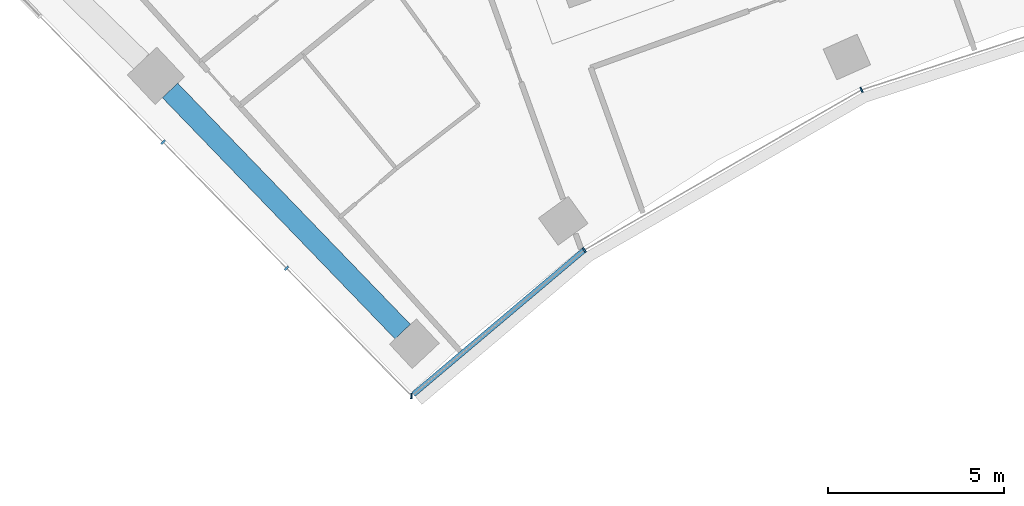
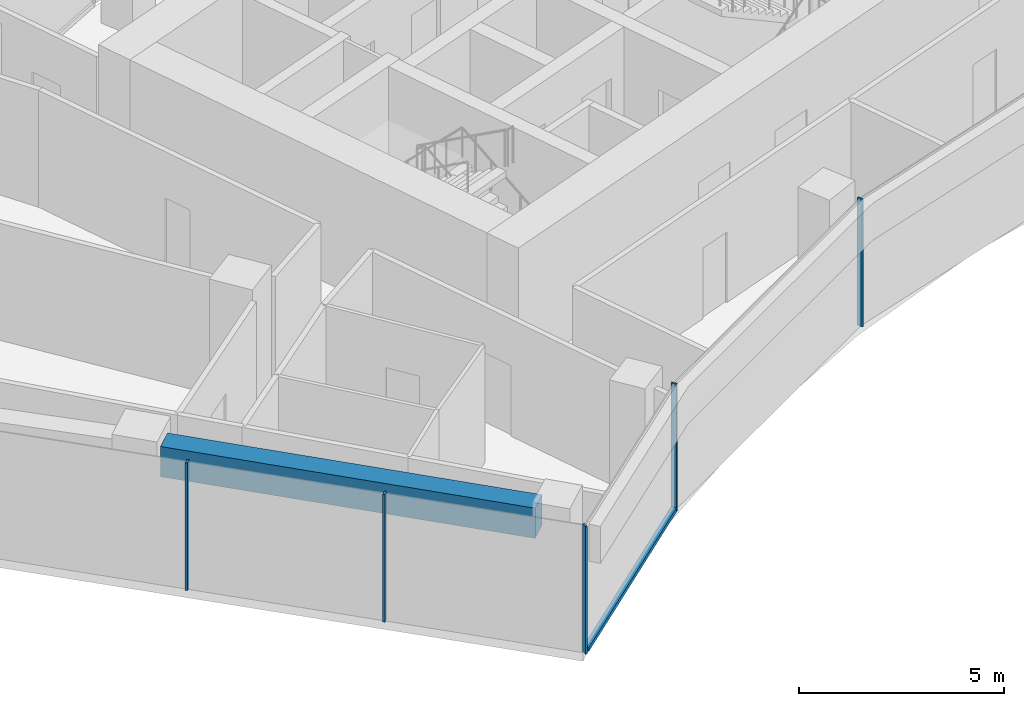
# One storey, part 2 of 18: 6 members, 1 beam, 2 elements without a shape of their own.
"""IFC4 building model written with IfcOpenShell, lengths in metres."""

from ifc_helpers import new_model, si_unit, direction, frame, origin, origin_2d, place, context, subcontext, project, spatial, rectangle, extrude, material, layer, layer_set, material_profile, profile_set, type_object, element, aggregate, save


model = new_model("IFC4")

# Units and contexts
model_context = context("Model", 3, precision=1e-05, world=origin(), true_north=direction((0.0, 1.0)))
body_context = subcontext(model_context, "Body", "Model", "MODEL_VIEW")
ifc_project = project(units=[si_unit("LENGTHUNIT", "METRE"), si_unit("AREAUNIT", "SQUARE_METRE"), si_unit("VOLUMEUNIT", "CUBIC_METRE"), si_unit("PLANEANGLEUNIT", "RADIAN"), si_unit("MASSUNIT", "GRAM", prefix="KILO")], contexts=[model_context])

# Site, building, storey
site_placement = place(None, origin())
site = spatial("IfcSite", under=ifc_project, at=site_placement, CompositionType="ELEMENT")
building_placement = place(site_placement, origin())
building = spatial("IfcBuilding", under=site, at=building_placement, Name="Stone Belt Terrace Tower", CompositionType="ELEMENT")
storey_placement = place(building_placement, frame((0.0, 0.0, 220.0)))
storey = spatial("IfcBuildingStorey", under=building, at=storey_placement, Name="L53", CompositionType="ELEMENT", Elevation=220.0)

# Curtain wall, members
ifc_material_1 = material(Name="Aluminium 6063-T6 anodised frame", Category="aluminium")
ifc_layer_1 = layer(ifc_material_1, 0.14990234375)
ifc_layer_set_1 = layer_set([ifc_layer_1], Name="CW-B unitised concave-face curtain wall")
curtain_wall_type_1 = type_object("IfcCurtainWallType", Name="CW-B unitised concave-face curtain wall", PredefinedType="NOTDEFINED", material=ifc_layer_set_1)
curtain_wall_1_placement = place(storey_placement, origin())
curtain_wall_1 = element("IfcCurtainWall", 1, at=curtain_wall_1_placement, inside=storey, type_object=curtain_wall_type_1, Name="CW-B concave face L53", PredefinedType="NOTDEFINED")
ifc_material_profile_1 = material_profile(ifc_material_1, rectangle(XDim=0.14990234375, YDim=0.050048828125, at=origin_2d()), Name="Aluminium 6063-T6 50x150")
ifc_profile_set_1 = profile_set([ifc_material_profile_1], Name="Aluminium 6063-T6 anodised frame")
member_type_1 = type_object("IfcMemberType", Name="CW-B mullion 50 x 150", PredefinedType="MULLION", material=ifc_profile_set_1)
member_1_placement = place(storey_placement, frame((-30.428466796875, 30.98876953125, 0.0), z_axis=(0.0, 0.0, 1.0), x_axis=(0.047391681792, 0.998876382991, 0.0)))
member_1 = element("IfcMember", 2, at=member_1_placement, type_object=member_type_1, Name="CW-B mullion 1", PredefinedType="MULLION", context=body_context, shape_type="SweptSolid", body=[
    extrude(rectangle(XDim=0.14990234375, YDim=0.050048828125, at=origin_2d()), origin(), (0.0, 0.0, 1.0), 3.800048828125),
])
member_2_placement = place(storey_placement, frame((-25.525390625, 35.130615234375, 0.0), z_axis=(0.0, 0.0, 1.0), x_axis=(-0.574927375225, 0.818204444633, 0.0)))
member_2 = element("IfcMember", 3, at=member_2_placement, type_object=member_type_1, Name="CW-B mullion 2", PredefinedType="MULLION", context=body_context, shape_type="SweptSolid", body=[
    extrude(rectangle(XDim=0.14990234375, YDim=0.050048828125, at=origin_2d()), origin(), (0.0, 0.0, 1.0), 3.800048828125),
])
member_3_placement = place(storey_placement, frame((-17.662353515625, 39.67041015625, 0.0), z_axis=(0.0, 0.0, 1.0), x_axis=(-0.406736643076, 0.913545457643, 0.0)))
member_3 = element("IfcMember", 4, at=member_3_placement, type_object=member_type_1, Name="CW-B mullion 3", PredefinedType="MULLION", context=body_context, shape_type="SweptSolid", body=[
    extrude(rectangle(XDim=0.14990234375, YDim=0.050048828125, at=origin_2d()), origin(), (0.0, 0.0, 1.0), 3.800048828125),
])
ifc_material_profile_2 = material_profile(ifc_material_1, rectangle(XDim=0.14990234375, YDim=0.1201171875, at=origin_2d()), Name="Aluminium 6063-T6 150x120")
ifc_profile_set_2 = profile_set([ifc_material_profile_2], Name="Aluminium 6063-T6 anodised frame")
member_type_2 = type_object("IfcMemberType", Name="CW-B transom 120 x 150", PredefinedType="USERDEFINED", material=ifc_profile_set_2)
member_4_placement = place(storey_placement, frame((-30.37548828125, 31.03369140625, 0.06005859375), z_axis=(0.763918143639, 0.645313156397, 0.0), x_axis=(-0.645313156397, 0.763918143639, 0.0)))
member_4 = element("IfcMember", 5, at=member_4_placement, type_object=member_type_2, Name="CW-B transom 1.1", ObjectType="TRANSOM", PredefinedType="USERDEFINED", context=body_context, shape_type="SweptSolid", body=[
    extrude(rectangle(XDim=0.14990234375, YDim=0.1201171875, at=origin_2d()), origin(), (0.0, 0.0, 1.0), 6.3173828125),
])
aggregate(curtain_wall_1, [member_1, member_2, member_3, member_4])

ifc_layer_2 = layer(ifc_material_1, 0.14990234375)
ifc_layer_set_2 = layer_set([ifc_layer_2], Name="CW-C stick curtain wall, horn ends and notches")
curtain_wall_type_2 = type_object("IfcCurtainWallType", Name="CW-C stick curtain wall, horn ends and notches", PredefinedType="NOTDEFINED", material=ifc_layer_set_2)
curtain_wall_2_placement = place(storey_placement, origin())
curtain_wall_2 = element("IfcCurtainWall", 6, at=curtain_wall_2_placement, inside=storey, type_object=curtain_wall_type_2, Name="CW-C end face L53", PredefinedType="NOTDEFINED")
ifc_material_profile_3 = material_profile(ifc_material_1, rectangle(XDim=0.14990234375, YDim=0.06005859375, at=origin_2d()), Name="Aluminium 6063-T6 60x150")
ifc_profile_set_3 = profile_set([ifc_material_profile_3], Name="Aluminium 6063-T6 anodised frame")
member_type_3 = type_object("IfcMemberType", Name="CW-C mullion 60 x 150", PredefinedType="MULLION", material=ifc_profile_set_3)
member_5_placement = place(storey_placement, frame((-37.470947265625, 38.18603515625, 0.0), z_axis=(0.0, 0.0, 1.0), x_axis=(0.714739013009, 0.699391266233, 0.0)))
member_5 = element("IfcMember", 7, at=member_5_placement, type_object=member_type_3, Name="CW-C mullion 3", PredefinedType="MULLION", context=body_context, shape_type="SweptSolid", body=[
    extrude(rectangle(XDim=0.14990234375, YDim=0.06005859375, at=origin_2d()), origin(), (0.0, 0.0, 1.0), 3.800048828125),
])
member_6_placement = place(storey_placement, frame((-33.97412109375, 34.6123046875, 0.0), z_axis=(0.0, 0.0, 1.0), x_axis=(0.714739013009, 0.699391266233, 0.0)))
member_6 = element("IfcMember", 8, at=member_6_placement, type_object=member_type_3, Name="CW-C mullion 4", PredefinedType="MULLION", context=body_context, shape_type="SweptSolid", body=[
    extrude(rectangle(XDim=0.14990234375, YDim=0.06005859375, at=origin_2d()), origin(), (0.0, 0.0, 1.0), 3.800048828125),
])
aggregate(curtain_wall_2, [member_5, member_6])

# Beam
ifc_material_2 = material(Name="Concrete B60", Category="concrete")
ifc_material_profile_4 = material_profile(ifc_material_2, rectangle(XDim=0.60009765625, YDim=0.89990234375, at=origin_2d()), Name="RC 600x900")
ifc_profile_set_4 = profile_set([ifc_material_profile_4], Name="Concrete B60")
beam_type = type_object("IfcBeamType", Name="Edge beam RC 600x900 B60", PredefinedType="SPANDREL", material=ifc_profile_set_4)
beam_placement = place(storey_placement, frame((-30.677001953125, 32.8134765625, 3.030029296875), z_axis=(-0.694305705346, 0.719680198091, 0.0), x_axis=(-0.719680198091, -0.694305705346, 0.0)))
element("IfcBeam", 9, at=beam_placement, inside=storey, type_object=beam_type, Name="Edge beam L53 A P to Q", PredefinedType="SPANDREL", context=body_context, shape_type="SweptSolid", body=[
    extrude(rectangle(XDim=0.60009765625, YDim=0.89990234375, at=origin_2d()), origin(), (0.0, 0.0, 1.0), 9.506103515625),
])

save(model, "model.ifc")
